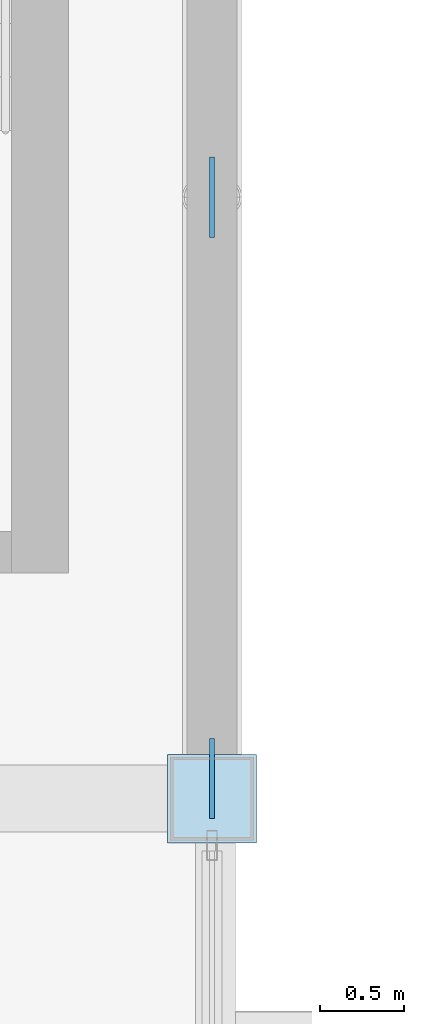
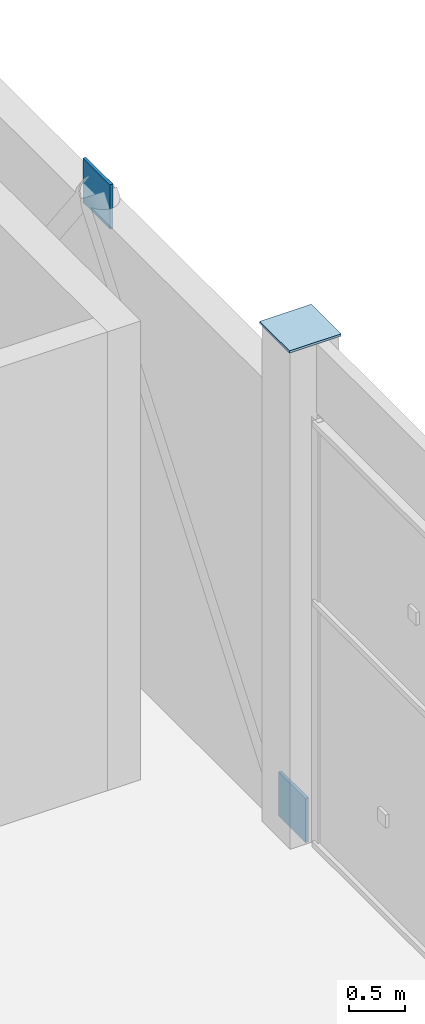
# One storey, part 128 of 189: 3 plates.
"""IFC4 building model written with IfcOpenShell, lengths in metres."""

import ifcopenshell
import ifcopenshell.guid

model = None  # the IFC model being written
_history = None  # IfcOwnerHistory: only IFC2X3 demands one
_inside = {}  # id of a spatial element -> (the spatial element, [elements in it])
_under = {}  # id of a project, library or spatial element -> (it, [spatial elements below it])
_declared = {}  # id of a project -> (the project, [libraries it declares])
_typed = {}  # id of a type object -> (the type object, [elements of that type])
_made_of = {}  # id of a material, layer set ... -> (it, [elements and type objects made of it])


def new_model(schema):
    """Start an empty IFC model of exactly this schema.

    Asked for "IFC4X3", IfcOpenShell would pick the latest addendum, in which some entities
    have other attributes; the version numbers below select the first issue.
    IFC2X3 requires an IfcOwnerHistory on every rooted entity: one is made here for all.
    """
    global model, _history
    if schema == "IFC4X3":
        model = ifcopenshell.file(schema_version=(4, 3, 0, 0))
    else:
        model = ifcopenshell.file(schema=schema)
    _inside.clear()
    _under.clear()
    _declared.clear()
    _typed.clear()
    _made_of.clear()
    _history = None
    if model.schema == "IFC2X3":
        org = make("IfcOrganization", Name="unknown")
        user = make(
            "IfcPersonAndOrganization",
            ThePerson=make("IfcPerson", FamilyName="unknown"),
            TheOrganization=org,
        )
        app = make(
            "IfcApplication",
            ApplicationDeveloper=org,
            Version="unknown",
            ApplicationFullName="unknown",
            ApplicationIdentifier="unknown",
        )
        _history = make(
            "IfcOwnerHistory",
            OwningUser=user,
            OwningApplication=app,
            ChangeAction="ADDED",
            CreationDate=0,
        )
    return model


def make(cls, **values):
    """One entity of the class cls with the attributes given. An attribute that is None is left unset."""
    return model.create_entity(
        cls, **{name: value for name, value in values.items() if value is not None}
    )


def rooted(cls, **values):
    """An entity with a GlobalId (a new one), such as an element, a storey or a relation."""
    return make(cls, GlobalId=ifcopenshell.guid.new(), OwnerHistory=_history, **values)


def si_unit(unit_type, name, prefix=None):
    """IfcSIUnit, for example si_unit("LENGTHUNIT", "METRE", prefix="MILLI")."""
    return make("IfcSIUnit", UnitType=unit_type, Prefix=prefix, Name=name)


def assignment(units):
    """IfcUnitAssignment: the units of a project."""
    return None if units is None else make("IfcUnitAssignment", Units=units)


def point(xyz):
    """IfcCartesianPoint."""
    return None if xyz is None else make("IfcCartesianPoint", Coordinates=xyz)


def direction(xyz):
    """IfcDirection."""
    return None if xyz is None else make("IfcDirection", DirectionRatios=xyz)


def frame(location, z_axis=None, x_axis=None):
    """IfcAxis2Placement3D, a coordinate frame: its origin and axes. An axis left out is left unset."""
    return make(
        "IfcAxis2Placement3D",
        Location=point(location),
        Axis=direction(z_axis),
        RefDirection=direction(x_axis),
    )


def frame_2d(location, x_axis=None):
    """IfcAxis2Placement2D, a coordinate frame in the plane: its origin and x axis."""
    return make(
        "IfcAxis2Placement2D", Location=point(location), RefDirection=direction(x_axis)
    )


def origin():
    """The frame at (0, 0, 0) with its axes left unset."""
    return frame((0.0, 0.0, 0.0))


def origin_2d():
    """The frame at (0, 0) in the plane with its x axis left unset."""
    return frame_2d((0.0, 0.0))


def place(relative_to, where):
    """IfcLocalPlacement: puts the frame where relative to a parent placement (None: the world)."""
    return make(
        "IfcLocalPlacement", PlacementRelTo=relative_to, RelativePlacement=where
    )


def context(
    kind, dimensions, precision=None, world=None, true_north=None, identifier=None
):
    """IfcGeometricRepresentationContext, for example the 3D "Model" context."""
    return make(
        "IfcGeometricRepresentationContext",
        ContextIdentifier=identifier,
        ContextType=kind,
        CoordinateSpaceDimension=dimensions,
        Precision=precision,
        WorldCoordinateSystem=world,
        TrueNorth=true_north,
    )


def subcontext(parent, identifier, kind, view, scale=None):
    """IfcGeometricRepresentationSubContext, for example "Body" below "Model"."""
    return make(
        "IfcGeometricRepresentationSubContext",
        ContextIdentifier=identifier,
        ContextType=kind,
        ParentContext=parent,
        TargetScale=scale,
        TargetView=view,
    )


def project(units=None, contexts=None):
    """IfcProject with its units and contexts."""
    return rooted(
        "IfcProject",
        Name="project",
        RepresentationContexts=contexts,
        UnitsInContext=assignment(units),
    )


def spatial(cls, under=None, at=None, **own):
    """A site, building, storey or space (cls), placed at a placement, below another one or the project."""
    s = rooted(cls, ObjectPlacement=at, **own)
    if under is not None:
        _under.setdefault(under.id(), (under, []))[1].append(s)
    return s


def profile(cls, at=None, kind="AREA", **sizes):
    """A parametric profile (cls). Its sizes go by their IFC names, for example OverallWidth=200.0."""
    return make(cls, ProfileType=kind, Position=at, **sizes)


def rectangle(**sizes):
    """IfcRectangleProfileDef."""
    return profile("IfcRectangleProfileDef", **sizes)


def extrude(swept, where, along, depth):
    """IfcExtrudedAreaSolid: the profile swept, set in the frame where, extruded along a direction by depth."""
    return make(
        "IfcExtrudedAreaSolid",
        SweptArea=swept,
        Position=where,
        ExtrudedDirection=direction(along),
        Depth=depth,
    )


def shape(context_of_items, identifier, shape_type, items):
    """IfcShapeRepresentation: the items that make up one representation, for example the "Body"."""
    return make(
        "IfcShapeRepresentation",
        ContextOfItems=context_of_items,
        RepresentationIdentifier=identifier,
        RepresentationType=shape_type,
        Items=items,
    )


def material(Name=None, Category=None):
    """IfcMaterial."""
    return make("IfcMaterial", Name=Name, Category=Category)


def layer(
    of_material, thickness, ventilated=None, Name=None, Category=None, Priority=None
):
    """IfcMaterialLayer: one layer of a wall or slab, of a material (None: an air gap)."""
    return make(
        "IfcMaterialLayer",
        Material=of_material,
        LayerThickness=thickness,
        IsVentilated=ventilated,
        Name=Name,
        Category=Category,
        Priority=Priority,
    )


def layer_set(layers, Name=None):
    """IfcMaterialLayerSet."""
    return make("IfcMaterialLayerSet", MaterialLayers=layers, LayerSetName=Name)


def made_of(thing, what):
    """Note that an element or type object is made of a material, layer set ...; save() writes the relation."""
    if what is not None:
        _made_of.setdefault(what.id(), (what, []))[1].append(thing)
    return thing


def type_object(cls, material=None, **own):
    """A type object (cls), such as IfcWallType, which elements share."""
    return made_of(rooted(cls, **own), material)


def element(
    cls,
    number,
    at=None,
    inside=None,
    cuts=None,
    type_object=None,
    material=None,
    context=None,
    identifier="Body",
    shape_type=None,
    held_by="IfcProductDefinitionShape",
    body=None,
    shapes=None,
    **own,
):
    """One element of the class cls, such as IfcWall. Its Tag is "e" and its number.

    at: its placement. inside: the storey or other place that contains it. cuts: it is an
    opening in that element (IfcRelVoidsElement). A single representation is given by context,
    identifier, shape_type and body (its items); several are given by shapes. held_by: the class
    of the entity that holds the representations. save() writes the other relations.
    """
    e = rooted(cls, Tag="e%d" % number, ObjectPlacement=at, **own)
    if body is not None:
        shapes = [shape(context, identifier, shape_type, body)]
    if shapes is not None:
        e.Representation = make(held_by, Representations=shapes)
    if inside is not None:
        _inside.setdefault(inside.id(), (inside, []))[1].append(e)
    if cuts is not None:
        rooted(
            "IfcRelVoidsElement", RelatingBuildingElement=cuts, RelatedOpeningElement=e
        )
    if type_object is not None:
        _typed.setdefault(type_object.id(), (type_object, []))[1].append(e)
    return made_of(e, material)


def aggregate(whole, parts):
    """IfcRelAggregates: a whole, such as a stair, and the parts it consists of."""
    return rooted("IfcRelAggregates", RelatingObject=whole, RelatedObjects=parts)


def save(model, path):
    """Write the relations noted so far, then the file.

    IfcRelAggregates (storeys below a building ...), IfcRelContainedInSpatialStructure (elements
    in a storey), IfcRelDefinesByType, IfcRelAssociatesMaterial and IfcRelDeclares: one each for
    every whole, place, type object, material and project.
    """
    for whole, parts in _under.values():
        aggregate(whole, parts)
    for where, things in _inside.values():
        rooted(
            "IfcRelContainedInSpatialStructure",
            RelatedElements=things,
            RelatingStructure=where,
        )
    for kind, things in _typed.values():
        rooted("IfcRelDefinesByType", RelatedObjects=things, RelatingType=kind)
    for what, things in _made_of.values():
        rooted("IfcRelAssociatesMaterial", RelatedObjects=things, RelatingMaterial=what)
    for by, libraries in _declared.values():
        rooted("IfcRelDeclares", RelatingContext=by, RelatedDefinitions=libraries)
    model.write(path)


model = new_model("IFC4")

# Units and contexts
model_context = context("Model", 3, precision=1e-05, world=origin(), true_north=direction((0.0, 1.0)))
body_context = subcontext(model_context, "Body", "Model", "MODEL_VIEW")
ifc_project = project(units=[si_unit("LENGTHUNIT", "METRE"), si_unit("AREAUNIT", "SQUARE_METRE"), si_unit("VOLUMEUNIT", "CUBIC_METRE"), si_unit("PLANEANGLEUNIT", "RADIAN"), si_unit("MASSUNIT", "GRAM", prefix="KILO")], contexts=[model_context])

# Site, building, storey
site_placement = place(None, origin())
site = spatial("IfcSite", under=ifc_project, at=site_placement, CompositionType="ELEMENT")
building_placement = place(site_placement, origin())
building = spatial("IfcBuilding", under=site, at=building_placement, Name="Celestram Park Convention Centre", CompositionType="ELEMENT")
storey_placement = place(building_placement, frame((0.0, 0.0, 5.39990234375)))
storey = spatial("IfcBuildingStorey", under=building, at=storey_placement, Name="L01", CompositionType="ELEMENT", Elevation=5.39990234375)

# Plates
ifc_material = material(Name="Steel ASTM A572 Grade 50", Category="steel")
ifc_layer_1 = layer(ifc_material, 0.02490234375)
ifc_layer_set_1 = layer_set([ifc_layer_1], Name="Steel ASTM A572 Grade 50")
plate_type_1 = type_object("IfcPlateType", Name="STR-PLT-EC500", PredefinedType="USERDEFINED", material=ifc_layer_set_1)
plate_placement = place(storey_placement, frame((216.0, 122.39990234375, 5.399658203125), z_axis=(0.0, 0.0, 1.0), x_axis=(1.0, 0.0, 0.0)))
element("IfcPlate", 1, at=plate_placement, inside=storey, type_object=plate_type_1, Name="HSS column end closure cap plate EC-L01-163", ObjectType="GUSSET_PLATE", PredefinedType="USERDEFINED", context=body_context, shape_type="SweptSolid", body=[
    extrude(rectangle(XDim=0.530029296875, YDim=0.530029296875, at=origin_2d()), origin(), (0.0, 0.0, 1.0), 0.02490234375),
])
ifc_layer_2 = layer(ifc_material, 0.031982421875)
ifc_layer_set_2 = layer_set([ifc_layer_2], Name="Steel ASTM A572 Grade 50")
plate_type_2 = type_object("IfcPlateType", Name="STR-PLT-GP32", PredefinedType="USERDEFINED", material=ifc_layer_set_2)
for number, where, z_axis, x_axis, name in (
    (2, (216.0, 126.0, 4.460205078125), (0.0, 0.0, 1.0), (0.0, 1.0, 0.0), "Chevron brace apex gusset GP-L01-523"),
    (3, (216.0, 122.52001953125, -0.08984375), (0.0, 0.0, 1.0), (0.0, 1.0, 0.0), "Chevron brace base gusset GP-L01-524"),
):
    element("IfcPlate", number, at=place(storey_placement, frame(where, z_axis=z_axis, x_axis=x_axis)), inside=storey, type_object=plate_type_2, Name=name, ObjectType="GUSSET_PLATE", PredefinedType="USERDEFINED", context=body_context, shape_type="SweptSolid", body=[
        extrude(rectangle(XDim=0.47998046875, YDim=0.031982421875, at=origin_2d()), origin(), (0.0, 0.0, 1.0), 0.47998046875),
    ])

save(model, "model.ifc")
